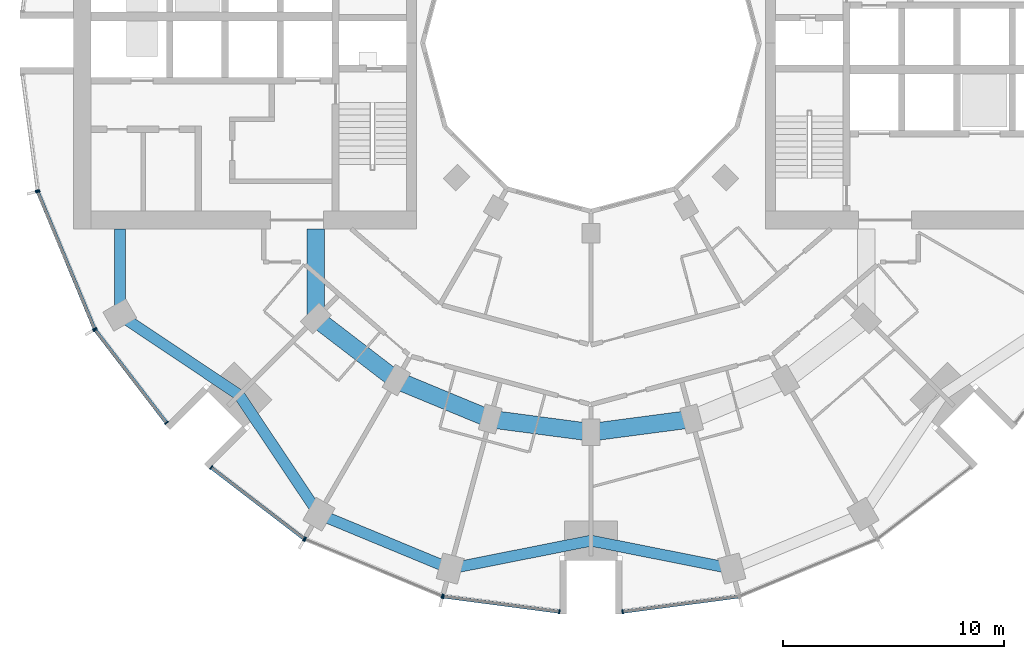
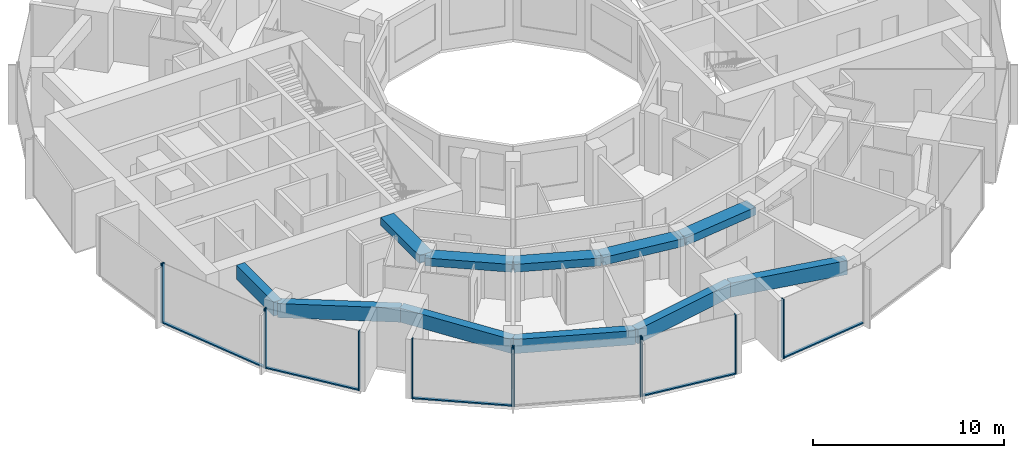
# One storey, part 2 of 15: 17 members, 11 beams, 7 elements without a shape of their own.
"""IFC4 building model written with IfcOpenShell, lengths in metres."""

from ifc_helpers import new_model, si_unit, direction, frame, origin, origin_2d, place, context, subcontext, project, spatial, rectangle, extrude, material, layer, layer_set, material_profile, profile_set, type_object, element, aggregate, save


model = new_model("IFC4")

# Units and contexts
model_context = context("Model", 3, precision=1e-05, world=origin(), true_north=direction((0.0, 1.0)))
body_context = subcontext(model_context, "Body", "Model", "MODEL_VIEW")
ifc_project = project(units=[si_unit("LENGTHUNIT", "METRE"), si_unit("AREAUNIT", "SQUARE_METRE"), si_unit("VOLUMEUNIT", "CUBIC_METRE"), si_unit("PLANEANGLEUNIT", "RADIAN"), si_unit("MASSUNIT", "GRAM", prefix="KILO")], contexts=[model_context])

# Site, building, storey
site_placement = place(None, origin())
site = spatial("IfcSite", under=ifc_project, at=site_placement, CompositionType="ELEMENT")
building_placement = place(site_placement, origin())
building = spatial("IfcBuilding", under=site, at=building_placement, Name="Torre Brocal", CompositionType="ELEMENT")
storey_placement = place(building_placement, frame((0.0, 0.0, 44.0)))
storey = spatial("IfcBuildingStorey", under=building, at=storey_placement, Name="L09", CompositionType="ELEMENT", Elevation=44.0)

# Curtain wall, members
ifc_material_1 = material(Name="Aluminium and glass", Category="aluminium")
ifc_layer_1 = layer(ifc_material_1, 0.199951171875)
ifc_layer_set_1 = layer_set([ifc_layer_1], Name="Aluminium and glass")
curtain_wall_type_1 = type_object("IfcCurtainWallType", Name="CW-1 CURTAIN WALL 3800 HIGH", PredefinedType="NOTDEFINED", material=ifc_layer_set_1)
curtain_wall_1_placement = place(storey_placement, origin())
curtain_wall_1 = element("IfcCurtainWall", 1, at=curtain_wall_1_placement, inside=storey, type_object=curtain_wall_type_1, Name="CW-1 RUN 14", PredefinedType="NOTDEFINED")
ifc_material_2 = material(Name="Aluminium, dark anodised", Category="aluminium")
ifc_material_profile_1 = material_profile(ifc_material_2, rectangle(XDim=0.199951171875, YDim=0.06005859375, at=origin_2d()), Name="CW-1 MULLION 60X200")
ifc_profile_set_1 = profile_set([ifc_material_profile_1], Name="Aluminium, dark anodised")
member_type_1 = type_object("IfcMemberType", Name="CW-1 MULLION 60X200", PredefinedType="MULLION", material=ifc_profile_set_1)
member_1_placement = place(storey_placement, frame((54.994873046875, 68.26904296875, 0.0), z_axis=(0.0, 0.0, 1.0), x_axis=(0.923879532525, 0.382683432333, 0.0)))
member_1 = element("IfcMember", 2, at=member_1_placement, type_object=member_type_1, Name="CW1-1 mullion 1", PredefinedType="MULLION", context=body_context, shape_type="SweptSolid", body=[
    extrude(rectangle(XDim=0.199951171875, YDim=0.06005859375, at=origin_2d()), origin(), (0.0, 0.0, 1.0), 3.800048828125),
])
member_2_placement = place(storey_placement, frame((57.559326171875, 62.078125, 0.0), z_axis=(0.0, 0.0, 1.0), x_axis=(0.923879532525, 0.382683432333, 0.0)))
member_2 = element("IfcMember", 3, at=member_2_placement, type_object=member_type_1, Name="CW1-1 mullion 2", PredefinedType="MULLION", context=body_context, shape_type="SweptSolid", body=[
    extrude(rectangle(XDim=0.199951171875, YDim=0.06005859375, at=origin_2d()), origin(), (0.0, 0.0, 1.0), 3.800048828125),
])

curtain_wall_2_placement = place(storey_placement, origin())
curtain_wall_2 = element("IfcCurtainWall", 4, at=curtain_wall_2_placement, inside=storey, type_object=curtain_wall_type_1, Name="CW-1 RUN 15", PredefinedType="NOTDEFINED")
member_3_placement = place(storey_placement, frame((57.5888671875, 62.026611328125, 0.0), z_axis=(0.0, 0.0, 1.0), x_axis=(0.793353340259, 0.60876142905, 0.0)))
member_3 = element("IfcMember", 5, at=member_3_placement, type_object=member_type_1, Name="CW1-1 mullion 1", PredefinedType="MULLION", context=body_context, shape_type="SweptSolid", body=[
    extrude(rectangle(XDim=0.199951171875, YDim=0.06005859375, at=origin_2d()), origin(), (0.0, 0.0, 1.0), 3.800048828125),
])
member_4_placement = place(storey_placement, frame((60.80859375, 57.83056640625, 0.0), z_axis=(0.0, 0.0, 1.0), x_axis=(0.793353340259, 0.60876142905, 0.0)))
member_4 = element("IfcMember", 6, at=member_4_placement, type_object=member_type_1, Name="CW1-1 mullion 2", PredefinedType="MULLION", context=body_context, shape_type="SweptSolid", body=[
    extrude(rectangle(XDim=0.199951171875, YDim=0.06005859375, at=origin_2d()), origin(), (0.0, 0.0, 1.0), 3.800048828125),
])

curtain_wall_3_placement = place(storey_placement, origin())
curtain_wall_3 = element("IfcCurtainWall", 7, at=curtain_wall_3_placement, inside=storey, type_object=curtain_wall_type_1, Name="CW-1 RUN 16", PredefinedType="NOTDEFINED")
member_5_placement = place(storey_placement, frame((62.83056640625, 55.80859375, 0.0), z_axis=(0.0, 0.0, 1.0), x_axis=(0.60876142905, 0.793353340259, 0.0)))
member_5 = element("IfcMember", 8, at=member_5_placement, type_object=member_type_1, Name="CW1-1 mullion 1", PredefinedType="MULLION", context=body_context, shape_type="SweptSolid", body=[
    extrude(rectangle(XDim=0.199951171875, YDim=0.06005859375, at=origin_2d()), origin(), (0.0, 0.0, 1.0), 3.800048828125),
])
member_6_placement = place(storey_placement, frame((67.026611328125, 52.5888671875, 0.0), z_axis=(0.0, 0.0, 1.0), x_axis=(0.60876142905, 0.793353340259, 0.0)))
member_6 = element("IfcMember", 9, at=member_6_placement, type_object=member_type_1, Name="CW1-1 mullion 2", PredefinedType="MULLION", context=body_context, shape_type="SweptSolid", body=[
    extrude(rectangle(XDim=0.199951171875, YDim=0.06005859375, at=origin_2d()), origin(), (0.0, 0.0, 1.0), 3.800048828125),
])

curtain_wall_4_placement = place(storey_placement, origin())
curtain_wall_4 = element("IfcCurtainWall", 10, at=curtain_wall_4_placement, inside=storey, type_object=curtain_wall_type_1, Name="CW-1 RUN 17", PredefinedType="NOTDEFINED")
member_7_placement = place(storey_placement, frame((67.078125, 52.559326171875, 0.0), z_axis=(0.0, 0.0, 1.0), x_axis=(0.382683432333, 0.923879532525, 0.0)))
member_7 = element("IfcMember", 11, at=member_7_placement, type_object=member_type_1, Name="CW1-1 mullion 1", PredefinedType="MULLION", context=body_context, shape_type="SweptSolid", body=[
    extrude(rectangle(XDim=0.199951171875, YDim=0.06005859375, at=origin_2d()), origin(), (0.0, 0.0, 1.0), 3.800048828125),
])
member_8_placement = place(storey_placement, frame((73.26904296875, 49.994873046875, 0.0), z_axis=(0.0, 0.0, 1.0), x_axis=(0.382683432333, 0.923879532525, 0.0)))
member_8 = element("IfcMember", 12, at=member_8_placement, type_object=member_type_1, Name="CW1-1 mullion 2", PredefinedType="MULLION", context=body_context, shape_type="SweptSolid", body=[
    extrude(rectangle(XDim=0.199951171875, YDim=0.06005859375, at=origin_2d()), origin(), (0.0, 0.0, 1.0), 3.800048828125),
])
aggregate(curtain_wall_4, [member_7, member_8])

curtain_wall_5_placement = place(storey_placement, origin())
curtain_wall_5 = element("IfcCurtainWall", 13, at=curtain_wall_5_placement, inside=storey, type_object=curtain_wall_type_1, Name="CW-1 RUN 18", PredefinedType="NOTDEFINED")
member_9_placement = place(storey_placement, frame((73.32666015625, 49.9794921875, 0.0), z_axis=(0.0, 0.0, 1.0), x_axis=(0.13052619222, 0.991444861374, 0.0)))
member_9 = element("IfcMember", 14, at=member_9_placement, type_object=member_type_1, Name="CW1-1 mullion 1", PredefinedType="MULLION", context=body_context, shape_type="SweptSolid", body=[
    extrude(rectangle(XDim=0.199951171875, YDim=0.06005859375, at=origin_2d()), origin(), (0.0, 0.0, 1.0), 3.800048828125),
])
member_10_placement = place(storey_placement, frame((78.5703125, 49.2890625, 0.0), z_axis=(0.0, 0.0, 1.0), x_axis=(0.13052619222, 0.991444861374, 0.0)))
member_10 = element("IfcMember", 15, at=member_10_placement, type_object=member_type_1, Name="CW1-1 mullion 2", PredefinedType="MULLION", context=body_context, shape_type="SweptSolid", body=[
    extrude(rectangle(XDim=0.199951171875, YDim=0.06005859375, at=origin_2d()), origin(), (0.0, 0.0, 1.0), 3.800048828125),
])

# Curtain wall, member
curtain_wall_6_placement = place(storey_placement, origin())
curtain_wall_6 = element("IfcCurtainWall", 16, at=curtain_wall_6_placement, inside=storey, type_object=curtain_wall_type_1, Name="CW-1 RUN 19", PredefinedType="NOTDEFINED")
member_11_placement = place(storey_placement, frame((81.4296875, 49.2890625, 0.0), z_axis=(0.0, 0.0, 1.0), x_axis=(-0.13052619222, 0.991444861374, 0.0)))
member_11 = element("IfcMember", 17, at=member_11_placement, type_object=member_type_1, Name="CW1-1 mullion 1", PredefinedType="MULLION", context=body_context, shape_type="SweptSolid", body=[
    extrude(rectangle(XDim=0.199951171875, YDim=0.06005859375, at=origin_2d()), origin(), (0.0, 0.0, 1.0), 3.800048828125),
])

# Member
ifc_material_3 = material(Name="Aluminium, dark anodised", Category="aluminium")
ifc_material_profile_2 = material_profile(ifc_material_3, rectangle(XDim=0.159912109375, YDim=0.080078125, at=origin_2d()), Name="CW-1 TRANSOM 160X80")
ifc_profile_set_2 = profile_set([ifc_material_profile_2], Name="Aluminium, dark anodised")
member_type_2 = type_object("IfcMemberType", Name="CW-1 TRANSOM 160X80", PredefinedType="USERDEFINED", material=ifc_profile_set_2)
member_12_placement = place(storey_placement, frame((55.00634765625, 68.241455078125, 0.0400390625), z_axis=(0.38266457234, -0.923887344364, 0.0), x_axis=(0.923887344364, 0.38266457234, 0.0)))
member_12 = element("IfcMember", 18, at=member_12_placement, type_object=member_type_2, Name="CW1-1 transom 1.1", ObjectType="TRANSOM", PredefinedType="USERDEFINED", context=body_context, shape_type="SweptSolid", body=[
    extrude(rectangle(XDim=0.159912109375, YDim=0.080078125, at=origin_2d()), origin(), (0.0, 0.0, 1.0), 6.640869140625),
])

aggregate(curtain_wall_1, [member_1, member_2, member_12])

member_13_placement = place(storey_placement, frame((57.607177734375, 62.0029296875, 0.0400390625), z_axis=(0.60874908096, -0.79336281513, 0.0), x_axis=(0.79336281513, 0.60874908096, 0.0)))
member_13 = element("IfcMember", 19, at=member_13_placement, type_object=member_type_2, Name="CW1-1 transom 1.1", ObjectType="TRANSOM", PredefinedType="USERDEFINED", context=body_context, shape_type="SweptSolid", body=[
    extrude(rectangle(XDim=0.159912109375, YDim=0.080078125, at=origin_2d()), origin(), (0.0, 0.0, 1.0), 5.22900390625),
])

aggregate(curtain_wall_2, [member_3, member_4, member_13])

member_14_placement = place(storey_placement, frame((62.8544921875, 55.790283203125, 0.0400390625), z_axis=(0.79336281513, -0.60874908096, 0.0), x_axis=(0.60874908096, 0.79336281513, 0.0)))
member_14 = element("IfcMember", 20, at=member_14_placement, type_object=member_type_2, Name="CW1-1 transom 1.1", ObjectType="TRANSOM", PredefinedType="USERDEFINED", context=body_context, shape_type="SweptSolid", body=[
    extrude(rectangle(XDim=0.159912109375, YDim=0.080078125, at=origin_2d()), origin(), (0.0, 0.0, 1.0), 5.22900390625),
])

aggregate(curtain_wall_3, [member_5, member_6, member_14])

member_15_placement = place(storey_placement, frame((73.356201171875, 49.9755859375, 0.0400390625), z_axis=(0.991442690863, -0.130542677827, 0.0), x_axis=(0.130542677827, 0.991442690863, 0.0)))
member_15 = element("IfcMember", 21, at=member_15_placement, type_object=member_type_2, Name="CW1-1 transom 1.1", ObjectType="TRANSOM", PredefinedType="USERDEFINED", context=body_context, shape_type="SweptSolid", body=[
    extrude(rectangle(XDim=0.159912109375, YDim=0.080078125, at=origin_2d()), origin(), (0.0, 0.0, 1.0), 5.22900390625),
])

aggregate(curtain_wall_5, [member_9, member_10, member_15])

member_16_placement = place(storey_placement, frame((81.45947265625, 49.29296875, 0.0400390625), z_axis=(0.991442690863, 0.130542677827, 0.0), x_axis=(-0.130542677827, 0.991442690863, 0.0)))
member_16 = element("IfcMember", 22, at=member_16_placement, type_object=member_type_2, Name="CW1-1 transom 1.1", ObjectType="TRANSOM", PredefinedType="USERDEFINED", context=body_context, shape_type="SweptSolid", body=[
    extrude(rectangle(XDim=0.159912109375, YDim=0.080078125, at=origin_2d()), origin(), (0.0, 0.0, 1.0), 5.22900390625),
])

aggregate(curtain_wall_6, [member_11, member_16])

# Curtain wall, member
ifc_material_4 = material(Name="Aluminium and glass", Category="aluminium")
ifc_layer_2 = layer(ifc_material_4, 0.199951171875)
ifc_layer_set_2 = layer_set([ifc_layer_2], Name="Aluminium and glass")
curtain_wall_type_2 = type_object("IfcCurtainWallType", Name="CW-1B CURTAIN WALL 3800 HIGH", PredefinedType="NOTDEFINED", material=ifc_layer_set_2)
curtain_wall_7_placement = place(storey_placement, origin())
curtain_wall_7 = element("IfcCurtainWall", 23, at=curtain_wall_7_placement, inside=storey, type_object=curtain_wall_type_2, Name="CW-1B RUN 13", PredefinedType="NOTDEFINED")
ifc_material_5 = material(Name="Aluminium, dark anodised", Category="aluminium")
ifc_material_profile_3 = material_profile(ifc_material_5, rectangle(XDim=0.199951171875, YDim=0.06005859375, at=origin_2d()), Name="CW-1B MULLION 60X200")
ifc_profile_set_3 = profile_set([ifc_material_profile_3], Name="Aluminium, dark anodised")
member_type_3 = type_object("IfcMemberType", Name="CW-1B MULLION 60X200", PredefinedType="MULLION", material=ifc_profile_set_3)
member_17_placement = place(storey_placement, frame((54.9794921875, 68.32666015625, 0.0), z_axis=(0.0, 0.0, 1.0), x_axis=(0.991444861374, 0.13052619222, 0.0)))
member_17 = element("IfcMember", 24, at=member_17_placement, type_object=member_type_3, Name="CW1B-1 mullion 2", PredefinedType="MULLION", context=body_context, shape_type="SweptSolid", body=[
    extrude(rectangle(XDim=0.199951171875, YDim=0.06005859375, at=origin_2d()), origin(), (0.0, 0.0, 1.0), 3.800048828125),
])
aggregate(curtain_wall_7, [member_17])

# Beams
ifc_material_6 = material(Name="Concrete C50", Category="concrete")
ifc_material_profile_4 = material_profile(ifc_material_6, rectangle(XDim=0.800048828125, YDim=0.5, at=origin_2d()), Name="RC 800X500")
ifc_profile_set_4 = profile_set([ifc_material_profile_4], Name="Concrete C50")
beam_type_1 = type_object("IfcBeamType", Name="RC BEAM 800X500 C50 TOP 3480", PredefinedType="BEAM", material=ifc_profile_set_4)
beam_1_placement = place(storey_placement, frame((67.554931640625, 62.554931640625, 3.22998046875), z_axis=(0.0, 1.0, 0.0), x_axis=(-1.0, 0.0, 0.0)))
element("IfcBeam", 25, at=beam_1_placement, inside=storey, type_object=beam_type_1, Name="Beam BT-19", PredefinedType="BEAM", context=body_context, shape_type="SweptSolid", body=[
    extrude(rectangle(XDim=0.800048828125, YDim=0.5, at=origin_2d()), origin(), (0.0, 0.0, 1.0), 4.045166015625),
])
beam_2_placement = place(storey_placement, frame((67.554931640625, 62.554931640625, 3.22998046875), z_axis=(0.793358265959, -0.6087550097, 0.0), x_axis=(0.6087550097, 0.793358265959, 0.0)))
element("IfcBeam", 26, at=beam_2_placement, inside=storey, type_object=beam_type_1, Name="Beam BT-19", PredefinedType="BEAM", context=body_context, shape_type="SweptSolid", body=[
    extrude(rectangle(XDim=0.800048828125, YDim=0.5, at=origin_2d()), origin(), (0.0, 0.0, 1.0), 4.594482421875),
])
beam_3_placement = place(storey_placement, frame((71.199951171875, 59.758056640625, 3.22998046875), z_axis=(0.923878240166, -0.382686552348, 0.0), x_axis=(0.382686552348, 0.923878240166, 0.0)))
element("IfcBeam", 27, at=beam_3_placement, inside=storey, type_object=beam_type_1, Name="Beam BT-19", PredefinedType="BEAM", context=body_context, shape_type="SweptSolid", body=[
    extrude(rectangle(XDim=0.800048828125, YDim=0.5, at=origin_2d()), origin(), (0.0, 0.0, 1.0), 4.5947265625),
])
for number, where, z_axis, x_axis, name in (
    (28, (75.44482421875, 57.999755859375, 3.22998046875), (0.991440544449, -0.130558978332, 0.0), (0.130558978332, 0.991440544449, 0.0), "Beam BT-19"),
    (29, (80.0, 57.39990234375, 3.22998046875), (0.991440544449, 0.130558978332, 0.0), (-0.130558978332, 0.991440544449, 0.0), "Beam BT-19"),
):
    element("IfcBeam", number, at=place(storey_placement, frame(where, z_axis=z_axis, x_axis=x_axis)), inside=storey, type_object=beam_type_1, Name=name, PredefinedType="BEAM", context=body_context, shape_type="SweptSolid", body=[
        extrude(rectangle(XDim=0.800048828125, YDim=0.5, at=origin_2d()), origin(), (0.0, 0.0, 1.0), 4.594482421875),
    ])
ifc_material_7 = material(Name="Concrete C50", Category="concrete")
ifc_material_profile_5 = material_profile(ifc_material_7, rectangle(XDim=0.5, YDim=0.89990234375, at=origin_2d()), Name="RC 500X900")
ifc_profile_set_5 = profile_set([ifc_material_profile_5], Name="Concrete C50")
beam_type_2 = type_object("IfcBeamType", Name="RC SPANDREL BEAM 500X900 C50 TOP 3480", PredefinedType="SPANDREL", material=ifc_profile_set_5)
beam_4_placement = place(storey_placement, frame((58.69580078125, 62.699951171875, 3.030029296875), z_axis=(0.0, 1.0, 0.0), x_axis=(-1.0, 0.0, 0.0)))
element("IfcBeam", 30, at=beam_4_placement, inside=storey, type_object=beam_type_2, Name="Beam BT-20", PredefinedType="SPANDREL", context=body_context, shape_type="SweptSolid", body=[
    extrude(rectangle(XDim=0.5, YDim=0.89990234375, at=origin_2d()), origin(), (0.0, 0.0, 1.0), 3.900146484375),
])
for number, where, z_axis, x_axis, name in (
    (31, (58.69580078125, 62.699951171875, 3.030029296875), (0.831076844476, -0.556157602282, 0.0), (0.556157602282, 0.831076844476, 0.0), "Beam BT-20"),
    (32, (64.090087890625, 59.090087890625, 3.030029296875), (0.556157602282, -0.831076844476, 0.0), (0.831076844476, 0.556157602282, 0.0), "Beam BT-20"),
):
    element("IfcBeam", number, at=place(storey_placement, frame(where, z_axis=z_axis, x_axis=x_axis)), inside=storey, type_object=beam_type_2, Name=name, PredefinedType="SPANDREL", context=body_context, shape_type="SweptSolid", body=[
        extrude(rectangle(XDim=0.5, YDim=0.89990234375, at=origin_2d()), origin(), (0.0, 0.0, 1.0), 6.49072265625),
    ])
beam_5_placement = place(storey_placement, frame((67.699951171875, 53.69580078125, 3.030029296875), z_axis=(0.923882462513, -0.382676358639, 0.0), x_axis=(0.382676358639, 0.923882462513, 0.0)))
element("IfcBeam", 33, at=beam_5_placement, inside=storey, type_object=beam_type_2, Name="Beam BT-20", PredefinedType="SPANDREL", context=body_context, shape_type="SweptSolid", body=[
    extrude(rectangle(XDim=0.5, YDim=0.89990234375, at=origin_2d()), origin(), (0.0, 0.0, 1.0), 6.421875),
])
for number, where, z_axis, x_axis, name in (
    (34, (73.633056640625, 51.23828125, 3.030029296875), (0.980924907484, 0.194387051723, 0.0), (-0.194387051723, 0.980924907484, 0.0), "Beam BT-20"),
    (35, (80.0, 52.5, 3.030029296875), (0.980924907484, -0.194387051723, 0.0), (0.194387051723, 0.980924907484, 0.0), "Beam BT-20"),
):
    element("IfcBeam", number, at=place(storey_placement, frame(where, z_axis=z_axis, x_axis=x_axis)), inside=storey, type_object=beam_type_2, Name=name, PredefinedType="SPANDREL", context=body_context, shape_type="SweptSolid", body=[
        extrude(rectangle(XDim=0.5, YDim=0.89990234375, at=origin_2d()), origin(), (0.0, 0.0, 1.0), 6.49072265625),
    ])

save(model, "model.ifc")
